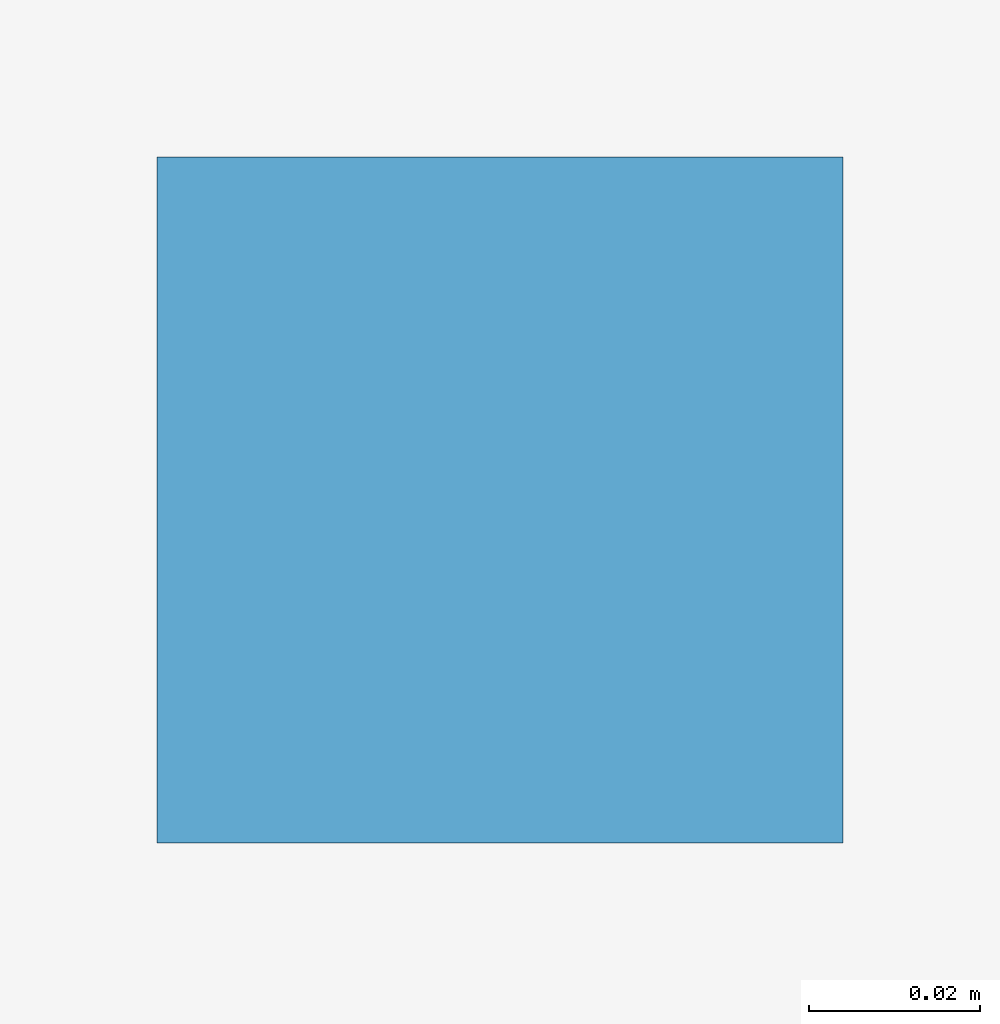
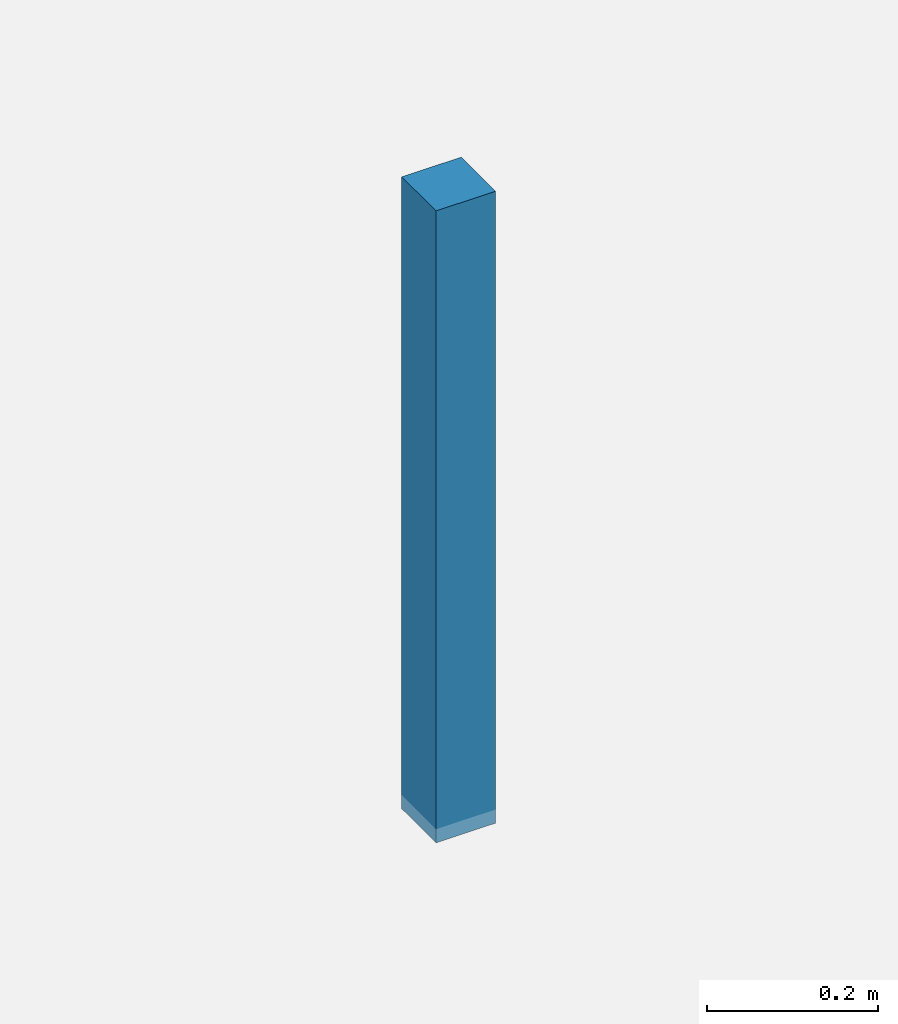
# One storey, part 43 of 53: 1 discrete accessory.
"""IFC4 building model written with IfcOpenShell, lengths in metres."""

from ifc_helpers import new_model, si_unit, derived_unit, direction, frame, origin, origin_2d, place, context, subcontext, project, spatial, rectangle, extrude, material, type_object, element, save


model = new_model("IFC4")

# Units and contexts
model_context = context("Model", 3, precision=1e-05, world=origin(), true_north=direction((0.0, 1.0)))
body_context = subcontext(model_context, "Body", "Model", "MODEL_VIEW")
ifc_project = project(units=[si_unit("LENGTHUNIT", "METRE"), si_unit("AREAUNIT", "SQUARE_METRE"), si_unit("VOLUMEUNIT", "CUBIC_METRE"), si_unit("PLANEANGLEUNIT", "RADIAN"), si_unit("MASSUNIT", "GRAM", prefix="KILO"), derived_unit("THERMALTRANSMITTANCEUNIT", [(si_unit("POWERUNIT", "WATT"), 1), (si_unit("LENGTHUNIT", "METRE"), -2), (si_unit("THERMODYNAMICTEMPERATUREUNIT", "KELVIN"), -1)])], contexts=[model_context])

# Site, building, storey
site_placement = place(None, origin())
site = spatial("IfcSite", under=ifc_project, at=site_placement, CompositionType="ELEMENT")
building_placement = place(site_placement, origin())
building = spatial("IfcBuilding", under=site, at=building_placement, Name="Almenara Railside Exhibition Hall", CompositionType="ELEMENT")
storey_placement = place(building_placement, origin())
storey = spatial("IfcBuildingStorey", under=building, at=storey_placement, Name="L00", CompositionType="ELEMENT", Elevation=0.0)

# Discrete accessory
ifc_material = material(Name="Galvanised steel suspension bracket", Category="steel")
discrete_accessory_type = type_object("IfcDiscreteAccessoryType", Name="Ceiling Suspension Bracket Hanger", PredefinedType="BRACKET", material=ifc_material)
discrete_accessory_placement = place(storey_placement, frame((69.0, 93.0, 4.280029296875), z_axis=(0.0, 0.0, 1.0), x_axis=(1.0, 0.0, 0.0)))
element("IfcDiscreteAccessory", 1, at=discrete_accessory_placement, inside=storey, type_object=discrete_accessory_type, Name="Ceiling suspension hanger 0005", PredefinedType="BRACKET", context=body_context, shape_type="SweptSolid", body=[
    extrude(rectangle(XDim=0.080078125, YDim=0.080078125, at=origin_2d()), origin(), (0.0, 0.0, 1.0), 0.89990234375),
])

save(model, "model.ifc")
